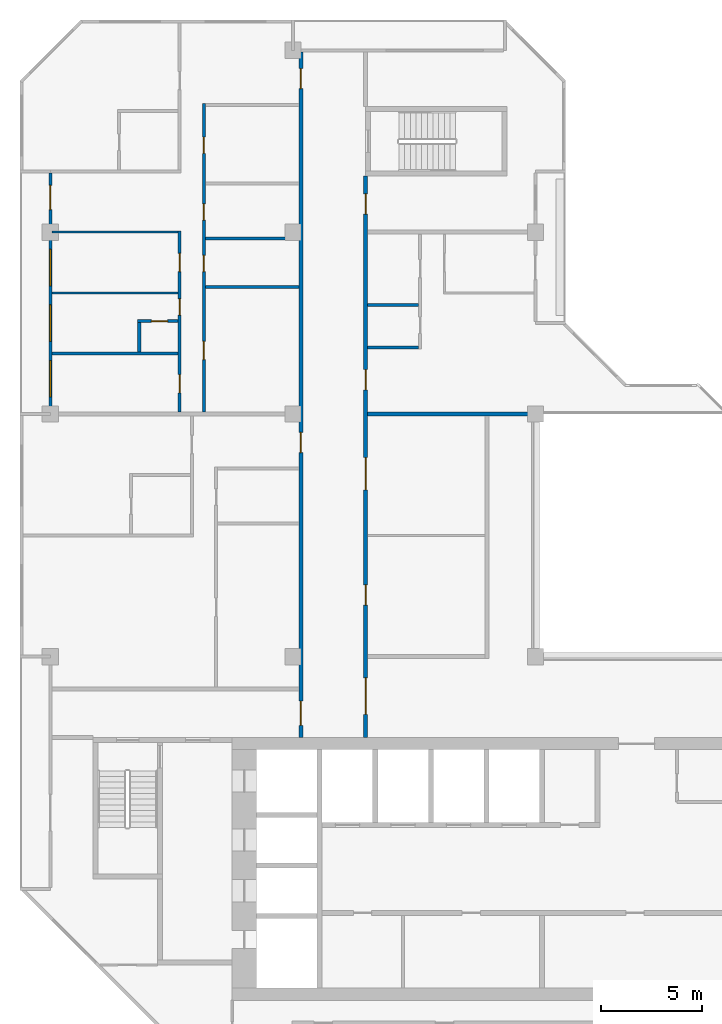
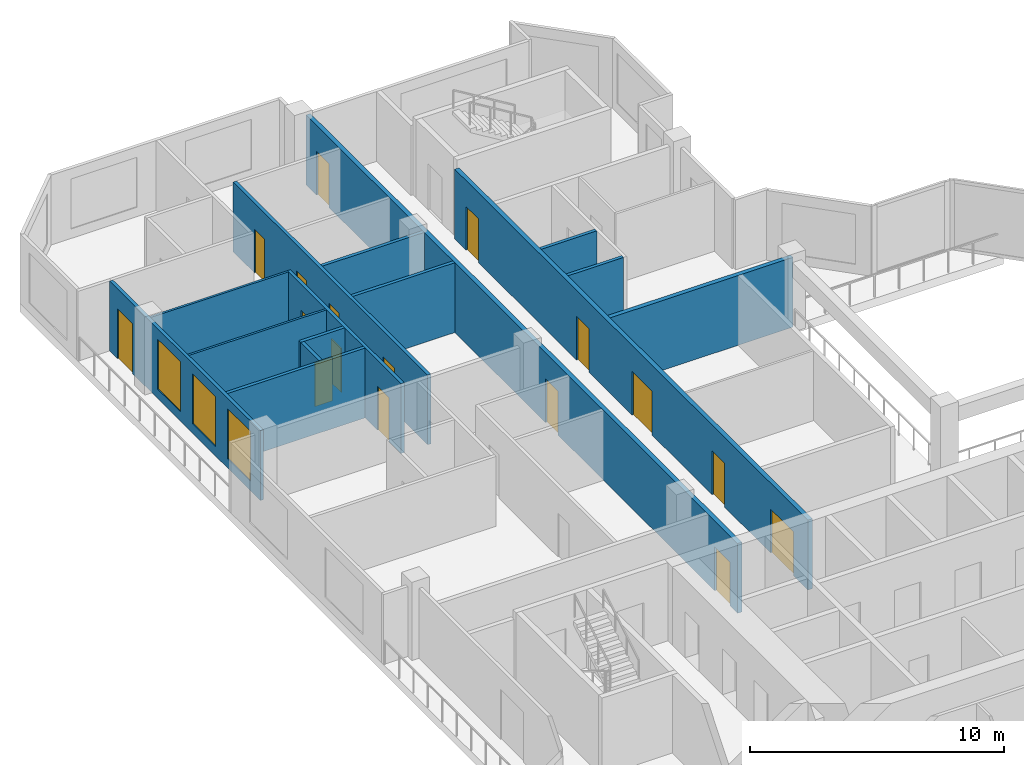
# One storey, part 9 of 13: 17 doors, 15 walls, 3 windows, 20 openings.
"""IFC4 building model written with IfcOpenShell, lengths in metres."""

from ifc_helpers import new_model, si_unit, direction, frame, frame_2d, origin, place, context, subcontext, project, spatial, rectangle, extrude, material, layer, layer_set, type_object, element, fill, save


model = new_model("IFC4")

# Units and contexts
model_context = context("Model", 3, precision=1e-05, world=origin(), true_north=direction((0.0, 1.0)))
body_context = subcontext(model_context, "Body", "Model", "MODEL_VIEW")
ifc_project = project(units=[si_unit("LENGTHUNIT", "METRE"), si_unit("AREAUNIT", "SQUARE_METRE"), si_unit("VOLUMEUNIT", "CUBIC_METRE"), si_unit("PLANEANGLEUNIT", "RADIAN"), si_unit("MASSUNIT", "GRAM", prefix="KILO")], contexts=[model_context])

# Site, building, storey
site_placement = place(None, origin())
site = spatial("IfcSite", under=ifc_project, at=site_placement, CompositionType="ELEMENT")
building_placement = place(site_placement, origin())
building = spatial("IfcBuilding", under=site, at=building_placement, Name="Chenar Terraces", CompositionType="ELEMENT")
storey_placement = place(building_placement, frame((0.0, 0.0, 299.64990234375)))
storey = spatial("IfcBuildingStorey", under=building, at=storey_placement, Name="L70", CompositionType="ELEMENT", Elevation=299.64990234375)

# Wall, openings, doors
ifc_material_1 = material(Name="Gypsum board on steel studs with fire boards", Category="steel")
ifc_layer_1 = layer(ifc_material_1, 0.199951171875)
ifc_layer_set_1 = layer_set([ifc_layer_1], Name="Gypsum board on steel studs with fire boards")
wall_type_1 = type_object("IfcWallType", Name="Corridor wall 200", PredefinedType="PARTITIONING", material=ifc_layer_set_1)
wall_1_placement = place(storey_placement, frame((12.39990234375, 20.0, 0.0), z_axis=(0.0, 0.0, 1.0), x_axis=(0.0, 1.0, 0.0)))
wall_1 = element("IfcWall", 1, at=wall_1_placement, inside=storey, type_object=wall_type_1, Name="Partition L70-031", PredefinedType="PARTITIONING", context=body_context, shape_type="SweptSolid", body=[
    extrude(rectangle(XDim=33.926025390625, YDim=0.199951171875, at=frame_2d((16.962890625, 0.0))), origin(), (0.0, 0.0, 1.0), 3.35009765625),
])
opening_1_placement = place(wall_1_placement, frame((32.10009765625, 0.0, 0.0)))
opening_1 = element("IfcOpeningElement", 2, at=opening_1_placement, cuts=wall_1, Name="Opening DL70-22", PredefinedType="OPENING", context=body_context, shape_type="SweptSolid", body=[
    extrude(rectangle(XDim=1.0, YDim=2.10009765625, at=frame_2d((0.5, 1.050048828125))), frame((0.0, 0.10986328125, 0.0), z_axis=(0.0, -1.0, 0.0), x_axis=(1.0, 0.0, 0.0)), (0.0, 0.0, 1.0), 0.219970703125),
])
opening_2_placement = place(wall_1_placement, frame((0.60009765625, 0.0, 0.0)))
opening_2 = element("IfcOpeningElement", 3, at=opening_2_placement, cuts=wall_1, Name="Opening DL70-29", PredefinedType="OPENING", context=body_context, shape_type="SweptSolid", body=[
    extrude(rectangle(XDim=1.199951171875, YDim=2.10009765625, at=frame_2d((0.60009765625, 1.050048828125))), frame((0.0, 0.10986328125, 0.0), z_axis=(0.0, -1.0, 0.0), x_axis=(1.0, 0.0, 0.0)), (0.0, 0.0, 1.0), 0.219970703125),
])
opening_3_placement = place(wall_1_placement, frame((14.10009765625, 0.0, 0.0)))
opening_3 = element("IfcOpeningElement", 4, at=opening_3_placement, cuts=wall_1, Name="Opening DL70-52", PredefinedType="OPENING", context=body_context, shape_type="SweptSolid", body=[
    extrude(rectangle(XDim=1.0, YDim=2.10009765625, at=frame_2d((0.5, 1.050048828125))), frame((0.0, 0.10986328125, 0.0), z_axis=(0.0, -1.0, 0.0), x_axis=(1.0, 0.0, 0.0)), (0.0, 0.0, 1.0), 0.219970703125),
])
ifc_material_2 = material(Name="Steel-framed fire-resisting door leaf", Category="steel")
door_type_1 = type_object("IfcDoorType", Name="Fire door FD30S 1000 x 2100", OperationType="SINGLE_SWING_LEFT", PredefinedType="DOOR", material=ifc_material_2)
door_1_placement = place(opening_1_placement, origin())
door_1 = element("IfcDoor", 5, at=door_1_placement, inside=storey, type_object=door_type_1, Name="Door DL70-22", OperationType="SINGLE_SWING_RIGHT", OverallHeight=2.10009765625, OverallWidth=1.0, PredefinedType="DOOR", context=body_context, shape_type="SweptSolid", body=[
    extrude(rectangle(XDim=1.0, YDim=2.10009765625, at=frame_2d((0.5, 1.050048828125))), frame((0.0, 0.02490234375, 0.0), z_axis=(0.0, -1.0, 0.0), x_axis=(1.0, 0.0, 0.0)), (0.0, 0.0, 1.0), 0.050048828125),
])
fill(opening_1, door_1)
door_2_placement = place(opening_3_placement, origin())
door_2 = element("IfcDoor", 6, at=door_2_placement, inside=storey, type_object=door_type_1, Name="Door DL70-52", OperationType="SINGLE_SWING_RIGHT", OverallHeight=2.10009765625, OverallWidth=1.0, PredefinedType="DOOR", context=body_context, shape_type="SweptSolid", body=[
    extrude(rectangle(XDim=1.0, YDim=2.10009765625, at=frame_2d((0.5, 1.050048828125))), frame((0.0, 0.02490234375, 0.0), z_axis=(0.0, -1.0, 0.0), x_axis=(1.0, 0.0, 0.0)), (0.0, 0.0, 1.0), 0.050048828125),
])
fill(opening_3, door_2)
ifc_material_3 = material(Name="Steel-framed fire-resisting door leaf", Category="steel")
door_type_2 = type_object("IfcDoorType", Name="Fire door FD30S 1200 x 2100", OperationType="SINGLE_SWING_LEFT", PredefinedType="DOOR", material=ifc_material_3)
door_3_placement = place(opening_2_placement, origin())
door_3 = element("IfcDoor", 7, at=door_3_placement, inside=storey, type_object=door_type_2, Name="Door DL70-29", OperationType="SINGLE_SWING_RIGHT", OverallHeight=2.10009765625, OverallWidth=1.199951171875, PredefinedType="DOOR", context=body_context, shape_type="SweptSolid", body=[
    extrude(rectangle(XDim=1.199951171875, YDim=2.10009765625, at=frame_2d((0.60009765625, 1.050048828125))), frame((0.0, 0.02490234375, 0.0), z_axis=(0.0, -1.0, 0.0), x_axis=(1.0, 0.0, 0.0)), (0.0, 0.0, 1.0), 0.050048828125),
])
fill(opening_2, door_3)

wall_2_placement = place(storey_placement, frame((15.60009765625, 20.0, 0.0), z_axis=(0.0, 0.0, 1.0), x_axis=(0.0, 1.0, 0.0)))
wall_2 = element("IfcWall", 8, at=wall_2_placement, inside=storey, type_object=wall_type_1, Name="Partition L70-033", PredefinedType="PARTITIONING", context=body_context, shape_type="SweptSolid", body=[
    extrude(rectangle(XDim=27.77490234375, YDim=0.199951171875, at=frame_2d((13.887451171875, 0.0))), origin(), (0.0, 0.0, 1.0), 3.35009765625),
])
opening_4_placement = place(wall_2_placement, frame((6.550048828125, 0.0, 0.0)))
opening_4 = element("IfcOpeningElement", 9, at=opening_4_placement, cuts=wall_2, Name="Opening DL70-1", PredefinedType="OPENING", context=body_context, shape_type="SweptSolid", body=[
    extrude(rectangle(XDim=1.0, YDim=2.10009765625, at=frame_2d((0.5, 1.050048828125))), frame((0.0, 0.10986328125, 0.0), z_axis=(0.0, -1.0, 0.0), x_axis=(1.0, 0.0, 0.0)), (0.0, 0.0, 1.0), 0.219970703125),
])
opening_5_placement = place(wall_2_placement, frame((12.25, 0.0, 0.0)))
opening_5 = element("IfcOpeningElement", 10, at=opening_5_placement, cuts=wall_2, Name="Opening DL70-2", PredefinedType="OPENING", context=body_context, shape_type="SweptSolid", body=[
    extrude(rectangle(XDim=1.60009765625, YDim=2.10009765625, at=frame_2d((0.800048828125, 1.050048828125))), frame((0.0, 0.10986328125, 0.0), z_axis=(0.0, -1.0, 0.0), x_axis=(1.0, 0.0, 0.0)), (0.0, 0.0, 1.0), 0.219970703125),
])
opening_6_placement = place(wall_2_placement, frame((17.199951171875, 0.0, 0.0)))
opening_6 = element("IfcOpeningElement", 11, at=opening_6_placement, cuts=wall_2, Name="Opening DL70-15", PredefinedType="OPENING", context=body_context, shape_type="SweptSolid", body=[
    extrude(rectangle(XDim=1.0, YDim=2.10009765625, at=frame_2d((0.5, 1.050048828125))), frame((0.0, 0.10986328125, 0.0), z_axis=(0.0, -1.0, 0.0), x_axis=(1.0, 0.0, 0.0)), (0.0, 0.0, 1.0), 0.219970703125),
])
opening_7_placement = place(wall_2_placement, frame((1.14990234375, 0.0, 0.0)))
opening_7 = element("IfcOpeningElement", 12, at=opening_7_placement, cuts=wall_2, Name="Opening DL70-28", PredefinedType="OPENING", context=body_context, shape_type="SweptSolid", body=[
    extrude(rectangle(XDim=1.800048828125, YDim=2.10009765625, at=frame_2d((0.89990234375, 1.050048828125))), frame((0.0, 0.10986328125, 0.0), z_axis=(0.0, -1.0, 0.0), x_axis=(1.0, 0.0, 0.0)), (0.0, 0.0, 1.0), 0.219970703125),
])
opening_8_placement = place(wall_2_placement, frame((25.89990234375, 0.0, 0.0)))
opening_8 = element("IfcOpeningElement", 13, at=opening_8_placement, cuts=wall_2, Name="Opening DL70-31", PredefinedType="OPENING", context=body_context, shape_type="SweptSolid", body=[
    extrude(rectangle(XDim=1.0, YDim=2.10009765625, at=frame_2d((0.5, 1.050048828125))), frame((0.0, 0.10986328125, 0.0), z_axis=(0.0, -1.0, 0.0), x_axis=(1.0, 0.0, 0.0)), (0.0, 0.0, 1.0), 0.219970703125),
])
ifc_material_4 = material(Name="Steel-framed fire-resisting door leaf", Category="steel")
door_type_3 = type_object("IfcDoorType", Name="Fire door FD60 1000 x 2100", OperationType="SINGLE_SWING_LEFT", PredefinedType="DOOR", material=ifc_material_4)
door_4_placement = place(opening_4_placement, frame((1.0, 0.0, 0.0), z_axis=(0.0, 0.0, 1.0), x_axis=(-1.0, 0.0, 0.0)))
door_4 = element("IfcDoor", 14, at=door_4_placement, inside=storey, type_object=door_type_3, Name="Door DL70-1", OperationType="SINGLE_SWING_LEFT", OverallHeight=2.10009765625, OverallWidth=1.0, PredefinedType="DOOR", context=body_context, shape_type="SweptSolid", body=[
    extrude(rectangle(XDim=1.0, YDim=2.10009765625, at=frame_2d((0.5, 1.050048828125))), frame((0.0, 0.02490234375, 0.0), z_axis=(0.0, -1.0, 0.0), x_axis=(1.0, 0.0, 0.0)), (0.0, 0.0, 1.0), 0.050048828125),
])
fill(opening_4, door_4)
door_5_placement = place(opening_6_placement, frame((1.0, 0.0, 0.0), z_axis=(0.0, 0.0, 1.0), x_axis=(-1.0, 0.0, 0.0)))
door_5 = element("IfcDoor", 15, at=door_5_placement, inside=storey, type_object=door_type_3, Name="Door DL70-15", OperationType="SINGLE_SWING_LEFT", OverallHeight=2.10009765625, OverallWidth=1.0, PredefinedType="DOOR", context=body_context, shape_type="SweptSolid", body=[
    extrude(rectangle(XDim=1.0, YDim=2.10009765625, at=frame_2d((0.5, 1.050048828125))), frame((0.0, 0.02490234375, 0.0), z_axis=(0.0, -1.0, 0.0), x_axis=(1.0, 0.0, 0.0)), (0.0, 0.0, 1.0), 0.050048828125),
])
fill(opening_6, door_5)
door_6_placement = place(opening_8_placement, frame((1.0, 0.0, 0.0), z_axis=(0.0, 0.0, 1.0), x_axis=(-1.0, 0.0, 0.0)))
door_6 = element("IfcDoor", 16, at=door_6_placement, inside=storey, type_object=door_type_3, Name="Door DL70-31", OperationType="SINGLE_SWING_RIGHT", OverallHeight=2.10009765625, OverallWidth=1.0, PredefinedType="DOOR", context=body_context, shape_type="SweptSolid", body=[
    extrude(rectangle(XDim=1.0, YDim=2.10009765625, at=frame_2d((0.5, 1.050048828125))), frame((0.0, 0.02490234375, 0.0), z_axis=(0.0, -1.0, 0.0), x_axis=(1.0, 0.0, 0.0)), (0.0, 0.0, 1.0), 0.050048828125),
])
fill(opening_8, door_6)
ifc_material_5 = material(Name="Steel-framed fire-resisting door leaf", Category="steel")
door_type_4 = type_object("IfcDoorType", Name="Fire double door FD60 1600 x 2100", OperationType="DOUBLE_DOOR_SINGLE_SWING", PredefinedType="DOOR", material=ifc_material_5)
door_7_placement = place(opening_5_placement, frame((1.60009765625, 0.0, 0.0), z_axis=(0.0, 0.0, 1.0), x_axis=(-1.0, 0.0, 0.0)))
door_7 = element("IfcDoor", 17, at=door_7_placement, inside=storey, type_object=door_type_4, Name="Door DL70-2", OperationType="DOUBLE_DOOR_SINGLE_SWING", OverallHeight=2.10009765625, OverallWidth=1.60009765625, PredefinedType="DOOR", context=body_context, shape_type="SweptSolid", body=[
    extrude(rectangle(XDim=1.60009765625, YDim=2.10009765625, at=frame_2d((0.800048828125, 1.050048828125))), frame((0.0, 0.02490234375, 0.0), z_axis=(0.0, -1.0, 0.0), x_axis=(1.0, 0.0, 0.0)), (0.0, 0.0, 1.0), 0.050048828125),
])
fill(opening_5, door_7)
ifc_material_6 = material(Name="Steel-framed fire-resisting door leaf", Category="steel")
door_type_5 = type_object("IfcDoorType", Name="Fire double door FD60 1800 x 2100", OperationType="DOUBLE_DOOR_SINGLE_SWING", PredefinedType="DOOR", material=ifc_material_6)
door_8_placement = place(opening_7_placement, frame((1.800048828125, 0.0, 0.0), z_axis=(0.0, 0.0, 1.0), x_axis=(-1.0, 0.0, 0.0)))
door_8 = element("IfcDoor", 18, at=door_8_placement, inside=storey, type_object=door_type_5, Name="Door DL70-28", OperationType="DOUBLE_DOOR_SINGLE_SWING", OverallHeight=2.10009765625, OverallWidth=1.800048828125, PredefinedType="DOOR", context=body_context, shape_type="SweptSolid", body=[
    extrude(rectangle(XDim=1.800048828125, YDim=2.10009765625, at=frame_2d((0.89990234375, 1.050048828125))), frame((0.0, 0.02490234375, 0.0), z_axis=(0.0, -1.0, 0.0), x_axis=(1.0, 0.0, 0.0)), (0.0, 0.0, 1.0), 0.050048828125),
])
fill(opening_7, door_8)

# Wall, openings, windows, door
ifc_material_7 = material(Name="Aluminium framed glazing", Category="aluminium")
ifc_layer_2 = layer(ifc_material_7, 0.14990234375)
ifc_layer_set_2 = layer_set([ifc_layer_2], Name="Aluminium framed glazing")
wall_type_2 = type_object("IfcWallType", Name="Glazed loggia back wall 150", PredefinedType="SOLIDWALL", material=ifc_layer_set_2)
wall_3_placement = place(storey_placement, frame((0.0, 47.925048828125, 0.0), z_axis=(0.0, 0.0, 1.0), x_axis=(0.0, -1.0, 0.0)))
wall_3 = element("IfcWall", 19, at=wall_3_placement, inside=storey, type_object=wall_type_2, Name="Glazed loggia back wall", PredefinedType="SOLIDWALL", context=body_context, shape_type="SweptSolid", body=[
    extrude(rectangle(XDim=11.85009765625, YDim=0.14990234375, at=frame_2d((5.925048828125, 0.0))), origin(), (0.0, 0.0, 1.0), 3.35009765625),
])
opening_9_placement = place(wall_3_placement, frame((0.612548828125, 0.0, 0.0)))
opening_9 = element("IfcOpeningElement", 20, at=opening_9_placement, cuts=wall_3, Name="Opening DL70-G2", PredefinedType="OPENING", context=body_context, shape_type="SweptSolid", body=[
    extrude(rectangle(XDim=1.199951171875, YDim=2.39990234375, at=frame_2d((0.60009765625, 1.199951171875))), frame((0.0, 0.0849609375, 0.0), z_axis=(0.0, -1.0, 0.0), x_axis=(1.0, 0.0, 0.0)), (0.0, 0.0, 1.0), 0.169921875),
])
opening_10_placement = place(wall_3_placement, frame((3.77490234375, 0.0, 0.449951171875)))
opening_10 = element("IfcOpeningElement", 21, at=opening_10_placement, cuts=wall_3, Name="Opening W180x240", PredefinedType="OPENING", context=body_context, shape_type="SweptSolid", body=[
    extrude(rectangle(XDim=1.800048828125, YDim=2.39990234375, at=frame_2d((0.89990234375, 1.199951171875))), frame((0.0, 0.0849609375, 0.0), z_axis=(0.0, -1.0, 0.0), x_axis=(1.0, 0.0, 0.0)), (0.0, 0.0, 1.0), 0.169921875),
])
opening_11_placement = place(wall_3_placement, frame((6.52490234375, 0.0, 0.449951171875)))
opening_11 = element("IfcOpeningElement", 22, at=opening_11_placement, cuts=wall_3, Name="Opening W180x240", PredefinedType="OPENING", context=body_context, shape_type="SweptSolid", body=[
    extrude(rectangle(XDim=1.800048828125, YDim=2.39990234375, at=frame_2d((0.89990234375, 1.199951171875))), frame((0.0, 0.0849609375, 0.0), z_axis=(0.0, -1.0, 0.0), x_axis=(1.0, 0.0, 0.0)), (0.0, 0.0, 1.0), 0.169921875),
])
opening_12_placement = place(wall_3_placement, frame((9.27490234375, 0.0, 0.449951171875)))
opening_12 = element("IfcOpeningElement", 23, at=opening_12_placement, cuts=wall_3, Name="Opening W180x240", PredefinedType="OPENING", context=body_context, shape_type="SweptSolid", body=[
    extrude(rectangle(XDim=1.800048828125, YDim=2.39990234375, at=frame_2d((0.89990234375, 1.199951171875))), frame((0.0, 0.0849609375, 0.0), z_axis=(0.0, -1.0, 0.0), x_axis=(1.0, 0.0, 0.0)), (0.0, 0.0, 1.0), 0.169921875),
])
ifc_material_8 = material(Name="Low emissivity double glazing, aluminium frame", Category="aluminium")
window_type = type_object("IfcWindowType", Name="Fixed light 1800 x 2400", PartitioningType="SINGLE_PANEL", PredefinedType="WINDOW", material=ifc_material_8)
window_1_placement = place(opening_10_placement, origin())
window_1 = element("IfcWindow", 24, at=window_1_placement, inside=storey, type_object=window_type, Name="Window", OverallHeight=2.39990234375, OverallWidth=1.800048828125, PartitioningType="SINGLE_PANEL", PredefinedType="WINDOW", context=body_context, shape_type="SweptSolid", body=[
    extrude(rectangle(XDim=1.800048828125, YDim=2.39990234375, at=frame_2d((0.89990234375, 1.199951171875))), frame((0.0, 0.030029296875, 0.0), z_axis=(0.0, -1.0, 0.0), x_axis=(1.0, 0.0, 0.0)), (0.0, 0.0, 1.0), 0.06005859375),
])
fill(opening_10, window_1)
window_2_placement = place(opening_11_placement, origin())
window_2 = element("IfcWindow", 25, at=window_2_placement, inside=storey, type_object=window_type, Name="Window", OverallHeight=2.39990234375, OverallWidth=1.800048828125, PartitioningType="SINGLE_PANEL", PredefinedType="WINDOW", context=body_context, shape_type="SweptSolid", body=[
    extrude(rectangle(XDim=1.800048828125, YDim=2.39990234375, at=frame_2d((0.89990234375, 1.199951171875))), frame((0.0, 0.030029296875, 0.0), z_axis=(0.0, -1.0, 0.0), x_axis=(1.0, 0.0, 0.0)), (0.0, 0.0, 1.0), 0.06005859375),
])
fill(opening_11, window_2)
window_3_placement = place(opening_12_placement, origin())
window_3 = element("IfcWindow", 26, at=window_3_placement, inside=storey, type_object=window_type, Name="Window", OverallHeight=2.39990234375, OverallWidth=1.800048828125, PartitioningType="SINGLE_PANEL", PredefinedType="WINDOW", context=body_context, shape_type="SweptSolid", body=[
    extrude(rectangle(XDim=1.800048828125, YDim=2.39990234375, at=frame_2d((0.89990234375, 1.199951171875))), frame((0.0, 0.030029296875, 0.0), z_axis=(0.0, -1.0, 0.0), x_axis=(1.0, 0.0, 0.0)), (0.0, 0.0, 1.0), 0.06005859375),
])
fill(opening_12, window_3)
ifc_material_9 = material(Name="Low emissivity double glazing, aluminium frame", Category="aluminium")
door_type_6 = type_object("IfcDoorType", Name="Loggia glazed double door 1200 x 2400", OperationType="DOUBLE_DOOR_SINGLE_SWING", PredefinedType="DOOR", material=ifc_material_9)
door_9_placement = place(opening_9_placement, frame((1.199951171875, 0.0, 0.0), z_axis=(0.0, 0.0, 1.0), x_axis=(-1.0, 0.0, 0.0)))
door_9 = element("IfcDoor", 27, at=door_9_placement, inside=storey, type_object=door_type_6, Name="Loggia glazed door", OperationType="DOUBLE_DOOR_SINGLE_SWING", OverallHeight=2.39990234375, OverallWidth=1.199951171875, PredefinedType="DOOR", context=body_context, shape_type="SweptSolid", body=[
    extrude(rectangle(XDim=1.199951171875, YDim=2.39990234375, at=frame_2d((0.60009765625, 1.199951171875))), frame((0.0, 0.02490234375, 0.0), z_axis=(0.0, -1.0, 0.0), x_axis=(1.0, 0.0, 0.0)), (0.0, 0.0, 1.0), 0.050048828125),
])
fill(opening_9, door_9)

# Walls
ifc_material_10 = material(Name="Gypsum board on steel studs", Category="steel")
ifc_layer_3 = layer(ifc_material_10, 0.10009765625)
ifc_layer_set_3 = layer_set([ifc_layer_3], Name="Gypsum board on steel studs")
wall_type_3 = type_object("IfcWallType", Name="Gypsum partition 100", PredefinedType="PARTITIONING", material=ifc_layer_set_3)
for number, where, z_axis, x_axis, name in (
    (28, (0.073974609375, 42.0, 0.0), (0.0, 0.0, 1.0), (1.0, 0.0, 0.0), "Partition L70-007"),
    (29, (0.073974609375, 45.0, 0.0), (0.0, 0.0, 1.0), (1.0, 0.0, 0.0), "Partition L70-008"),
):
    element("IfcWall", number, at=place(storey_placement, frame(where, z_axis=z_axis, x_axis=x_axis)), inside=storey, type_object=wall_type_3, Name=name, PredefinedType="PARTITIONING", context=body_context, shape_type="SweptSolid", body=[
        extrude(rectangle(XDim=6.2509765625, YDim=0.10009765625, at=frame_2d((3.12548828125, 0.0))), origin(), (0.0, 0.0, 1.0), 3.35009765625),
    ])
ifc_material_11 = material(Name="Twin gypsum board on steel studs with mineral wool", Category="steel")
ifc_layer_4 = layer(ifc_material_11, 0.199951171875)
ifc_layer_set_4 = layer_set([ifc_layer_4], Name="Twin gypsum board on steel studs with mineral wool")
wall_type_4 = type_object("IfcWallType", Name="Unit demising wall 200", PredefinedType="PARTITIONING", material=ifc_layer_set_4)
wall_4_placement = place(storey_placement, frame((15.699951171875, 36.0, 0.0), z_axis=(0.0, 0.0, 1.0), x_axis=(1.0, 0.0, 0.0)))
element("IfcWall", 30, at=wall_4_placement, inside=storey, type_object=wall_type_4, Name="Partition L70-037", PredefinedType="PARTITIONING", context=body_context, shape_type="SweptSolid", body=[
    extrude(rectangle(XDim=8.300048828125, YDim=0.199951171875, at=frame_2d((4.14990234375, 0.0))), origin(), (0.0, 0.0, 1.0), 3.35009765625),
])
ifc_material_12 = material(Name="Moisture-resistant gypsum board on steel studs", Category="steel")
ifc_layer_5 = layer(ifc_material_12, 0.14990234375)
ifc_layer_set_5 = layer_set([ifc_layer_5], Name="Moisture-resistant gypsum board on steel studs")
wall_type_5 = type_object("IfcWallType", Name="Wet-room partition 150", PredefinedType="PARTITIONING", material=ifc_layer_set_5)
wall_5_placement = place(storey_placement, frame((0.073974609375, 39.0, 0.0), z_axis=(0.0, 0.0, 1.0), x_axis=(1.0, 0.0, 0.0)))
element("IfcWall", 31, at=wall_5_placement, inside=storey, type_object=wall_type_5, Name="Partition L70-006", PredefinedType="PARTITIONING", context=body_context, shape_type="SweptSolid", body=[
    extrude(rectangle(XDim=6.2509765625, YDim=0.14990234375, at=frame_2d((3.12548828125, 0.0))), origin(), (0.0, 0.0, 1.0), 3.35009765625),
])

# Wall, opening, door
wall_6_placement = place(storey_placement, frame((4.324951171875, 40.60009765625, 0.0), z_axis=(0.0, 0.0, 1.0), x_axis=(1.0, 0.0, 0.0)))
wall_6 = element("IfcWall", 32, at=wall_6_placement, inside=storey, type_object=wall_type_5, Name="Partition L70-014", PredefinedType="PARTITIONING", context=body_context, shape_type="SweptSolid", body=[
    extrude(rectangle(XDim=2.0, YDim=0.14990234375, at=frame_2d((1.0, 0.0))), origin(), (0.0, 0.0, 1.0), 3.35009765625),
])
opening_13_placement = place(wall_6_placement, frame((0.675048828125, 0.0, 0.0)))
opening_13 = element("IfcOpeningElement", 33, at=opening_13_placement, cuts=wall_6, Name="Opening DL70-24", PredefinedType="OPENING", context=body_context, shape_type="SweptSolid", body=[
    extrude(rectangle(XDim=0.800048828125, YDim=2.10009765625, at=frame_2d((0.39990234375, 1.050048828125))), frame((0.0, 0.0849609375, 0.0), z_axis=(0.0, -1.0, 0.0), x_axis=(1.0, 0.0, 0.0)), (0.0, 0.0, 1.0), 0.169921875),
])
ifc_material_13 = material(Name="Veneered timber door leaf", Category="wood")
door_type_7 = type_object("IfcDoorType", Name="Door 800 x 2100", OperationType="SINGLE_SWING_LEFT", PredefinedType="DOOR", material=ifc_material_13)
door_10_placement = place(opening_13_placement, frame((0.800048828125, 0.0, 0.0), z_axis=(0.0, 0.0, 1.0), x_axis=(-1.0, 0.0, 0.0)))
door_10 = element("IfcDoor", 34, at=door_10_placement, inside=storey, type_object=door_type_7, Name="Door DL70-24", OperationType="SINGLE_SWING_RIGHT", OverallHeight=2.10009765625, OverallWidth=0.800048828125, PredefinedType="DOOR", context=body_context, shape_type="SweptSolid", body=[
    extrude(rectangle(XDim=0.800048828125, YDim=2.10009765625, at=frame_2d((0.39990234375, 1.050048828125))), frame((0.0, 0.02490234375, 0.0), z_axis=(0.0, -1.0, 0.0), x_axis=(1.0, 0.0, 0.0)), (0.0, 0.0, 1.0), 0.050048828125),
])
fill(opening_13, door_10)

# Wall
wall_7_placement = place(storey_placement, frame((4.39990234375, 39.074951171875, 0.0), z_axis=(0.0, 0.0, 1.0), x_axis=(0.0, 1.0, 0.0)))
element("IfcWall", 35, at=wall_7_placement, inside=storey, type_object=wall_type_5, Name="Partition L70-015", PredefinedType="PARTITIONING", context=body_context, shape_type="SweptSolid", body=[
    extrude(rectangle(XDim=1.449951171875, YDim=0.14990234375, at=frame_2d((0.72509765625, 0.0))), origin(), (0.0, 0.0, 1.0), 3.35009765625),
])

# Wall, openings, doors
wall_8_placement = place(storey_placement, frame((6.39990234375, 36.10009765625, 0.0), z_axis=(0.0, 0.0, 1.0), x_axis=(0.0, 1.0, 0.0)))
wall_8 = element("IfcWall", 36, at=wall_8_placement, inside=storey, type_object=wall_type_5, Name="Partition L70-016", PredefinedType="PARTITIONING", context=body_context, shape_type="SweptSolid", body=[
    extrude(rectangle(XDim=8.949951171875, YDim=0.14990234375, at=frame_2d((4.47509765625, 0.0))), origin(), (0.0, 0.0, 1.0), 3.35009765625),
])
opening_14_placement = place(wall_8_placement, frame((0.949951171875, 0.0, 0.0)))
opening_14 = element("IfcOpeningElement", 37, at=opening_14_placement, cuts=wall_8, Name="Opening DL70-17", PredefinedType="OPENING", context=body_context, shape_type="SweptSolid", body=[
    extrude(rectangle(XDim=0.89990234375, YDim=2.10009765625, at=frame_2d((0.449951171875, 1.050048828125))), frame((0.0, 0.0849609375, 0.0), z_axis=(0.0, -1.0, 0.0), x_axis=(1.0, 0.0, 0.0)), (0.0, 0.0, 1.0), 0.169921875),
])
opening_15_placement = place(wall_8_placement, frame((6.949951171875, 0.0, 0.0)))
opening_15 = element("IfcOpeningElement", 38, at=opening_15_placement, cuts=wall_8, Name="Opening DL70-18", PredefinedType="OPENING", context=body_context, shape_type="SweptSolid", body=[
    extrude(rectangle(XDim=0.89990234375, YDim=2.10009765625, at=frame_2d((0.449951171875, 1.050048828125))), frame((0.0, 0.0849609375, 0.0), z_axis=(0.0, -1.0, 0.0), x_axis=(1.0, 0.0, 0.0)), (0.0, 0.0, 1.0), 0.169921875),
])
opening_16_placement = place(wall_8_placement, frame((4.800048828125, 0.0, 0.0)))
opening_16 = element("IfcOpeningElement", 39, at=opening_16_placement, cuts=wall_8, Name="Opening DL70-23", PredefinedType="OPENING", context=body_context, shape_type="SweptSolid", body=[
    extrude(rectangle(XDim=0.800048828125, YDim=2.10009765625, at=frame_2d((0.39990234375, 1.050048828125))), frame((0.0, 0.0849609375, 0.0), z_axis=(0.0, -1.0, 0.0), x_axis=(1.0, 0.0, 0.0)), (0.0, 0.0, 1.0), 0.169921875),
])
door_11_placement = place(opening_16_placement, origin())
door_11 = element("IfcDoor", 40, at=door_11_placement, inside=storey, type_object=door_type_7, Name="Door DL70-23", OperationType="SINGLE_SWING_RIGHT", OverallHeight=2.10009765625, OverallWidth=0.800048828125, PredefinedType="DOOR", context=body_context, shape_type="SweptSolid", body=[
    extrude(rectangle(XDim=0.800048828125, YDim=2.10009765625, at=frame_2d((0.39990234375, 1.050048828125))), frame((0.0, 0.02490234375, 0.0), z_axis=(0.0, -1.0, 0.0), x_axis=(1.0, 0.0, 0.0)), (0.0, 0.0, 1.0), 0.050048828125),
])
fill(opening_16, door_11)
ifc_material_14 = material(Name="Veneered timber door leaf", Category="wood")
door_type_8 = type_object("IfcDoorType", Name="Door 900 x 2100", OperationType="SINGLE_SWING_LEFT", PredefinedType="DOOR", material=ifc_material_14)
door_12_placement = place(opening_14_placement, origin())
door_12 = element("IfcDoor", 41, at=door_12_placement, inside=storey, type_object=door_type_8, Name="Door DL70-17", OperationType="SINGLE_SWING_RIGHT", OverallHeight=2.10009765625, OverallWidth=0.89990234375, PredefinedType="DOOR", context=body_context, shape_type="SweptSolid", body=[
    extrude(rectangle(XDim=0.89990234375, YDim=2.10009765625, at=frame_2d((0.449951171875, 1.050048828125))), frame((0.0, 0.02490234375, 0.0), z_axis=(0.0, -1.0, 0.0), x_axis=(1.0, 0.0, 0.0)), (0.0, 0.0, 1.0), 0.050048828125),
])
fill(opening_14, door_12)
door_13_placement = place(opening_15_placement, origin())
door_13 = element("IfcDoor", 42, at=door_13_placement, inside=storey, type_object=door_type_8, Name="Door DL70-18", OperationType="SINGLE_SWING_RIGHT", OverallHeight=2.10009765625, OverallWidth=0.89990234375, PredefinedType="DOOR", context=body_context, shape_type="SweptSolid", body=[
    extrude(rectangle(XDim=0.89990234375, YDim=2.10009765625, at=frame_2d((0.449951171875, 1.050048828125))), frame((0.0, 0.02490234375, 0.0), z_axis=(0.0, -1.0, 0.0), x_axis=(1.0, 0.0, 0.0)), (0.0, 0.0, 1.0), 0.050048828125),
])
fill(opening_15, door_13)

wall_9_placement = place(storey_placement, frame((7.60009765625, 36.10009765625, 0.0), z_axis=(0.0, 0.0, 1.0), x_axis=(0.0, 1.0, 0.0)))
wall_9 = element("IfcWall", 43, at=wall_9_placement, inside=storey, type_object=wall_type_5, Name="Partition L70-019", PredefinedType="PARTITIONING", context=body_context, shape_type="SweptSolid", body=[
    extrude(rectangle(XDim=15.27490234375, YDim=0.14990234375, at=frame_2d((7.637451171875, 0.0))), origin(), (0.0, 0.0, 1.0), 3.35009765625),
])
opening_17_placement = place(wall_9_placement, frame((12.800048828125, 0.0, 0.0)))
opening_17 = element("IfcOpeningElement", 44, at=opening_17_placement, cuts=wall_9, Name="Opening DL70-16", PredefinedType="OPENING", context=body_context, shape_type="SweptSolid", body=[
    extrude(rectangle(XDim=0.800048828125, YDim=2.10009765625, at=frame_2d((0.39990234375, 1.050048828125))), frame((0.0, 0.0849609375, 0.0), z_axis=(0.0, -1.0, 0.0), x_axis=(1.0, 0.0, 0.0)), (0.0, 0.0, 1.0), 0.169921875),
])
opening_18_placement = place(wall_9_placement, frame((2.60009765625, 0.0, 0.0)))
opening_18 = element("IfcOpeningElement", 45, at=opening_18_placement, cuts=wall_9, Name="Opening DL70-21", PredefinedType="OPENING", context=body_context, shape_type="SweptSolid", body=[
    extrude(rectangle(XDim=0.89990234375, YDim=2.10009765625, at=frame_2d((0.449951171875, 1.050048828125))), frame((0.0, 0.0849609375, 0.0), z_axis=(0.0, -1.0, 0.0), x_axis=(1.0, 0.0, 0.0)), (0.0, 0.0, 1.0), 0.169921875),
])
opening_19_placement = place(wall_9_placement, frame((6.949951171875, 0.0, 0.0)))
opening_19 = element("IfcOpeningElement", 46, at=opening_19_placement, cuts=wall_9, Name="Opening DL70-25", PredefinedType="OPENING", context=body_context, shape_type="SweptSolid", body=[
    extrude(rectangle(XDim=0.800048828125, YDim=2.10009765625, at=frame_2d((0.39990234375, 1.050048828125))), frame((0.0, 0.0849609375, 0.0), z_axis=(0.0, -1.0, 0.0), x_axis=(1.0, 0.0, 0.0)), (0.0, 0.0, 1.0), 0.169921875),
])
opening_20_placement = place(wall_9_placement, frame((9.5, 0.0, 0.0)))
opening_20 = element("IfcOpeningElement", 47, at=opening_20_placement, cuts=wall_9, Name="Opening DL70-26", PredefinedType="OPENING", context=body_context, shape_type="SweptSolid", body=[
    extrude(rectangle(XDim=0.800048828125, YDim=2.10009765625, at=frame_2d((0.39990234375, 1.050048828125))), frame((0.0, 0.0849609375, 0.0), z_axis=(0.0, -1.0, 0.0), x_axis=(1.0, 0.0, 0.0)), (0.0, 0.0, 1.0), 0.169921875),
])
door_14_placement = place(opening_17_placement, frame((0.800048828125, 0.0, 0.0), z_axis=(0.0, 0.0, 1.0), x_axis=(-1.0, 0.0, 0.0)))
door_14 = element("IfcDoor", 48, at=door_14_placement, inside=storey, type_object=door_type_7, Name="Door DL70-16", OperationType="SINGLE_SWING_RIGHT", OverallHeight=2.10009765625, OverallWidth=0.800048828125, PredefinedType="DOOR", context=body_context, shape_type="SweptSolid", body=[
    extrude(rectangle(XDim=0.800048828125, YDim=2.10009765625, at=frame_2d((0.39990234375, 1.050048828125))), frame((0.0, 0.02490234375, 0.0), z_axis=(0.0, -1.0, 0.0), x_axis=(1.0, 0.0, 0.0)), (0.0, 0.0, 1.0), 0.050048828125),
])
fill(opening_17, door_14)
door_15_placement = place(opening_19_placement, frame((0.800048828125, 0.0, 0.0), z_axis=(0.0, 0.0, 1.0), x_axis=(-1.0, 0.0, 0.0)))
door_15 = element("IfcDoor", 49, at=door_15_placement, inside=storey, type_object=door_type_7, Name="Door DL70-25", OperationType="SINGLE_SWING_RIGHT", OverallHeight=2.10009765625, OverallWidth=0.800048828125, PredefinedType="DOOR", context=body_context, shape_type="SweptSolid", body=[
    extrude(rectangle(XDim=0.800048828125, YDim=2.10009765625, at=frame_2d((0.39990234375, 1.050048828125))), frame((0.0, 0.02490234375, 0.0), z_axis=(0.0, -1.0, 0.0), x_axis=(1.0, 0.0, 0.0)), (0.0, 0.0, 1.0), 0.050048828125),
])
fill(opening_19, door_15)
door_16_placement = place(opening_20_placement, frame((0.800048828125, 0.0, 0.0), z_axis=(0.0, 0.0, 1.0), x_axis=(-1.0, 0.0, 0.0)))
door_16 = element("IfcDoor", 50, at=door_16_placement, inside=storey, type_object=door_type_7, Name="Door DL70-26", OperationType="SINGLE_SWING_RIGHT", OverallHeight=2.10009765625, OverallWidth=0.800048828125, PredefinedType="DOOR", context=body_context, shape_type="SweptSolid", body=[
    extrude(rectangle(XDim=0.800048828125, YDim=2.10009765625, at=frame_2d((0.39990234375, 1.050048828125))), frame((0.0, 0.02490234375, 0.0), z_axis=(0.0, -1.0, 0.0), x_axis=(1.0, 0.0, 0.0)), (0.0, 0.0, 1.0), 0.050048828125),
])
fill(opening_20, door_16)
door_17_placement = place(opening_18_placement, frame((0.89990234375, 0.0, 0.0), z_axis=(0.0, 0.0, 1.0), x_axis=(-1.0, 0.0, 0.0)))
door_17 = element("IfcDoor", 51, at=door_17_placement, inside=storey, type_object=door_type_8, Name="Door DL70-21", OperationType="SINGLE_SWING_LEFT", OverallHeight=2.10009765625, OverallWidth=0.89990234375, PredefinedType="DOOR", context=body_context, shape_type="SweptSolid", body=[
    extrude(rectangle(XDim=0.89990234375, YDim=2.10009765625, at=frame_2d((0.449951171875, 1.050048828125))), frame((0.0, 0.02490234375, 0.0), z_axis=(0.0, -1.0, 0.0), x_axis=(1.0, 0.0, 0.0)), (0.0, 0.0, 1.0), 0.050048828125),
])
fill(opening_18, door_17)

# Walls
for number, where, z_axis, x_axis, name in (
    (52, (7.675048828125, 42.300048828125, 0.0), (0.0, 0.0, 1.0), (1.0, 0.0, 0.0), "Partition L70-020"),
    (53, (7.675048828125, 44.699951171875, 0.0), (0.0, 0.0, 1.0), (1.0, 0.0, 0.0), "Partition L70-021"),
):
    element("IfcWall", number, at=place(storey_placement, frame(where, z_axis=z_axis, x_axis=x_axis)), inside=storey, type_object=wall_type_5, Name=name, PredefinedType="PARTITIONING", context=body_context, shape_type="SweptSolid", body=[
        extrude(rectangle(XDim=4.625, YDim=0.14990234375, at=frame_2d((2.3125, 0.0))), origin(), (0.0, 0.0, 1.0), 3.35009765625),
    ])
for number, where, z_axis, x_axis, name in (
    (54, (15.699951171875, 39.300048828125, 0.0), (0.0, 0.0, 1.0), (1.0, 0.0, 0.0), "Partition L70-038"),
    (55, (15.699951171875, 41.39990234375, 0.0), (0.0, 0.0, 1.0), (1.0, 0.0, 0.0), "Partition L70-039"),
):
    element("IfcWall", number, at=place(storey_placement, frame(where, z_axis=z_axis, x_axis=x_axis)), inside=storey, type_object=wall_type_5, Name=name, PredefinedType="PARTITIONING", context=body_context, shape_type="SweptSolid", body=[
        extrude(rectangle(XDim=2.525146484375, YDim=0.14990234375, at=frame_2d((1.2626953125, 0.0))), origin(), (0.0, 0.0, 1.0), 3.35009765625),
    ])

save(model, "model.ifc")
